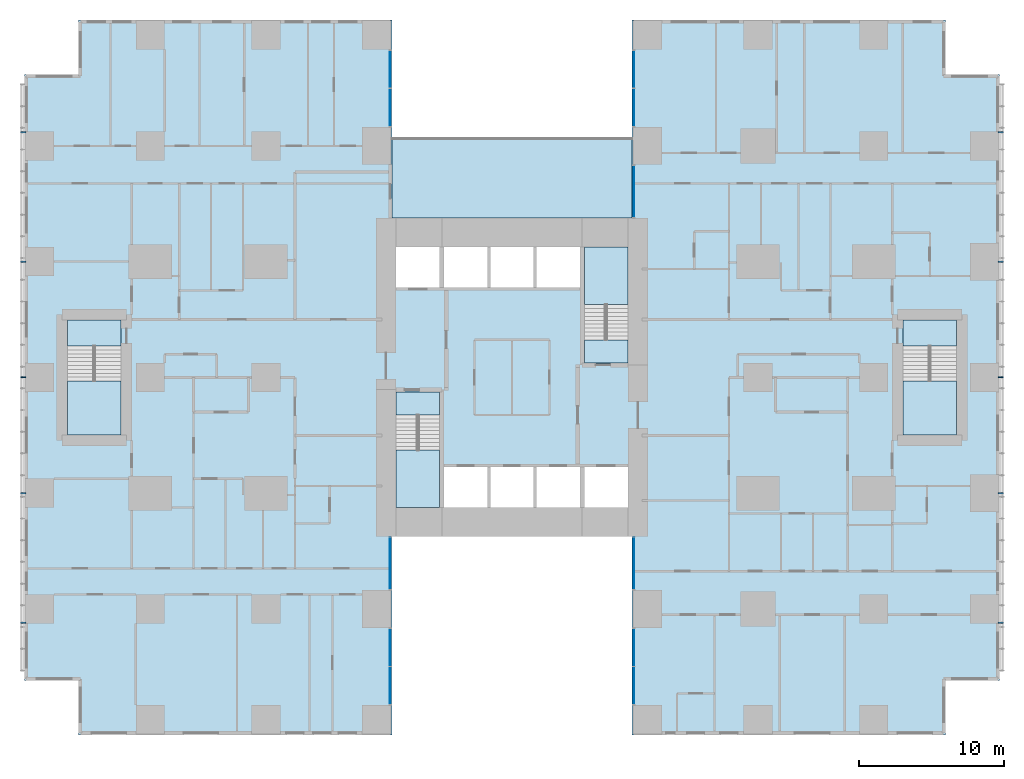
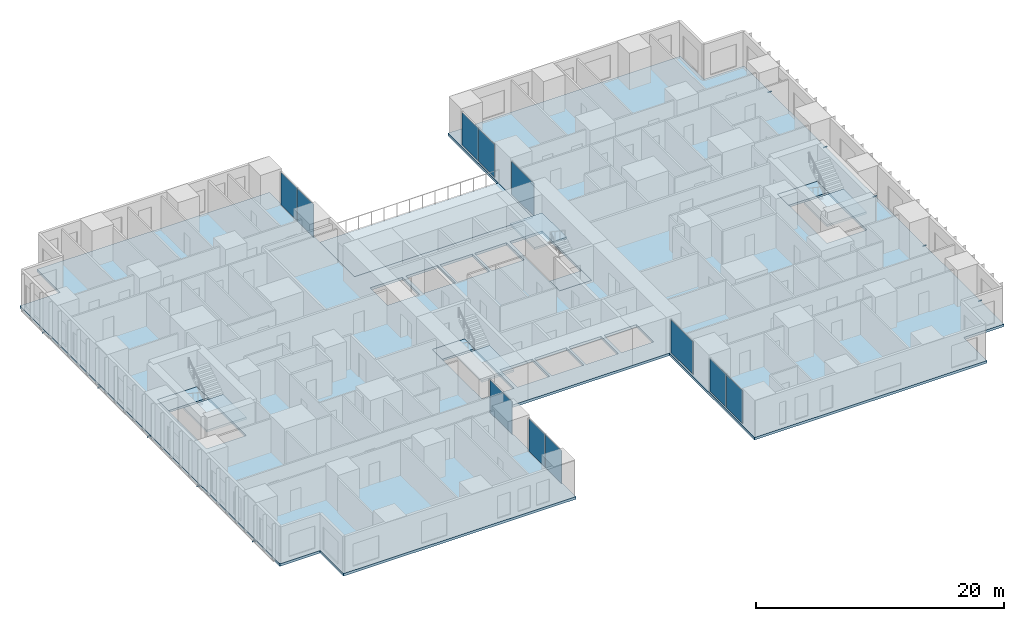
# One storey, part 7 of 20: 11 plates, 10 members, 10 slabs, 11 elements without a shape of their own.
"""IFC4 building model written with IfcOpenShell, lengths in metres."""

from ifc_helpers import new_model, si_unit, direction, frame, origin, origin_2d, place, context, subcontext, project, spatial, polyline, rectangle, hollow_rectangle, outline, extrude, material, layer, layer_set, material_profile, profile_set, type_object, element, aggregate, save


model = new_model("IFC4")

# Units and contexts
model_context = context("Model", 3, precision=1e-05, world=origin(), true_north=direction((0.0, 1.0)))
body_context = subcontext(model_context, "Body", "Model", "MODEL_VIEW")
ifc_project = project(units=[si_unit("LENGTHUNIT", "METRE"), si_unit("AREAUNIT", "SQUARE_METRE"), si_unit("VOLUMEUNIT", "CUBIC_METRE"), si_unit("PLANEANGLEUNIT", "RADIAN"), si_unit("MASSUNIT", "GRAM", prefix="KILO")], contexts=[model_context])

# Site, building, storey
site_placement = place(None, origin())
site = spatial("IfcSite", under=ifc_project, at=site_placement, CompositionType="ELEMENT")
building_placement = place(site_placement, origin())
building = spatial("IfcBuilding", under=site, at=building_placement, Name="Cleftline Residences", CompositionType="ELEMENT")
storey_placement = place(building_placement, frame((0.0, 0.0, 96.199951171875)))
storey = spatial("IfcBuildingStorey", under=building, at=storey_placement, Name="L24", CompositionType="ELEMENT", Elevation=96.199951171875)

# Members
ifc_material_1 = material(Name="Steel S355, hot-dip galvanised", Category="steel")
ifc_material_profile = material_profile(ifc_material_1, hollow_rectangle(XDim=0.10009765625, YDim=0.10009765625, WallThickness=0.008056640625, InnerFilletRadius=0.008056640625, OuterFilletRadius=0.011962890625, at=origin_2d()))
ifc_profile_set = profile_set([ifc_material_profile], Name="Steel S355, hot-dip galvanised")
member_type = type_object("IfcMemberType", Name="BAGUETTE BRACKET SHS 100X100X8", PredefinedType="USERDEFINED", material=ifc_profile_set)
for number, where, z_axis, x_axis, name in (
    (1, (66.60009765625, 7.050048828125, -0.14990234375), (1.0, 0.0, 0.0), (0.0, 1.0, 0.0), "Baguette bracket"),
    (2, (66.60009765625, 16.0, -0.14990234375), (1.0, 0.0, 0.0), (0.0, 1.0, 0.0), "Baguette bracket"),
    (3, (66.60009765625, 24.0, -0.14990234375), (1.0, 0.0, 0.0), (0.0, 1.0, 0.0), "Baguette bracket"),
    (4, (66.60009765625, 32.0, -0.14990234375), (1.0, 0.0, 0.0), (0.0, 1.0, 0.0), "Baguette bracket"),
    (5, (66.60009765625, 40.949951171875, -0.14990234375), (1.0, 0.0, 0.0), (0.0, 1.0, 0.0), "Baguette bracket"),
    (6, (-0.60009765625, 40.949951171875, -0.14990234375), (-1.0, 0.0, 0.0), (0.0, -1.0, 0.0), "Baguette bracket"),
    (7, (-0.60009765625, 32.0, -0.14990234375), (-1.0, 0.0, 0.0), (0.0, -1.0, 0.0), "Baguette bracket"),
    (8, (-0.60009765625, 24.0, -0.14990234375), (-1.0, 0.0, 0.0), (0.0, -1.0, 0.0), "Baguette bracket"),
    (9, (-0.60009765625, 16.0, -0.14990234375), (-1.0, 0.0, 0.0), (0.0, -1.0, 0.0), "Baguette bracket"),
    (10, (-0.60009765625, 7.050048828125, -0.14990234375), (-1.0, 0.0, 0.0), (0.0, -1.0, 0.0), "Baguette bracket"),
):
    element("IfcMember", number, at=place(storey_placement, frame(where, z_axis=z_axis, x_axis=x_axis)), inside=storey, type_object=member_type, Name=name, ObjectType="BAGUETTE BRACKET", PredefinedType="USERDEFINED", context=body_context, shape_type="SweptSolid", body=[
        extrude(hollow_rectangle(XDim=0.10009765625, YDim=0.10009765625, WallThickness=0.008056640625, InnerFilletRadius=0.008056640625, OuterFilletRadius=0.011962890625, at=origin_2d()), origin(), (0.0, 0.0, 1.0), 0.349853515625),
    ])

# Slab
ifc_material_2 = material(Name="Concrete B45", Category="concrete")
ifc_layer_1 = layer(ifc_material_2, 0.199951171875)
ifc_layer_set_1 = layer_set([ifc_layer_1], Name="BRIDGE ROOF SLAB 200")
slab_type_1 = type_object("IfcSlabType", Name="BRIDGE ROOF SLAB 200", PredefinedType="ROOF", material=ifc_layer_set_1)
slab_1_placement = place(storey_placement, frame((0.0, 0.0, -0.199951171875)))
element("IfcSlab", 11, at=slab_1_placement, inside=storey, type_object=slab_type_1, Name="Sky bridge roof L23 N", PredefinedType="ROOF", context=body_context, shape_type="SweptSolid", body=[
    extrude(outline(polyline([(41.300048828125, 35.0), (41.300048828125, 40.60009765625), (24.699951171875, 40.60009765625), (24.699951171875, 35.0), (41.300048828125, 35.0)])), origin(), (0.0, 0.0, 1.0), 0.199951171875),
])

# Curtain wall, plates
ifc_material_3 = material(Name="Aluminium framed curtain wall", Category="aluminium")
ifc_layer_2 = layer(ifc_material_3, 0.199951171875)
ifc_layer_set_2 = layer_set([ifc_layer_2], Name="CW1 CLEFT GLAZING")
curtain_wall_type = type_object("IfcCurtainWallType", Name="CW1 CLEFT GLAZING", PredefinedType="NOTDEFINED", material=ifc_layer_set_2)
curtain_wall_1_placement = place(storey_placement, origin())
curtain_wall_1 = element("IfcCurtainWall", 12, at=curtain_wall_1_placement, inside=storey, type_object=curtain_wall_type, Name="Curtain wall CW1", PredefinedType="NOTDEFINED")
ifc_material_4 = material(Name="Laminated clear glass", Category="glass")
ifc_layer_3 = layer(ifc_material_4, 0.028076171875)
ifc_layer_set_3 = layer_set([ifc_layer_3], Name="CW1 GLASS PANEL")
plate_type = type_object("IfcPlateType", Name="CW1 GLASS PANEL", PredefinedType="CURTAIN_PANEL", material=ifc_layer_set_3)
plate_1_placement = place(storey_placement, frame((24.574951171875, 2.702392578125, 0.06005859375), z_axis=(0.0, 0.0, 1.0), x_axis=(0.0, 1.0, 0.0)))
plate_1 = element("IfcPlate", 13, at=plate_1_placement, type_object=plate_type, Name="CW1 panel 1.1", PredefinedType="CURTAIN_PANEL", context=body_context, shape_type="SweptSolid", body=[
    extrude(rectangle(XDim=2.5849609375, YDim=0.028076171875, at=origin_2d()), origin(), (0.0, 0.0, 1.0), 3.22998046875),
])
plate_2_placement = place(storey_placement, frame((24.574951171875, 5.347412109375, 0.06005859375), z_axis=(0.0, 0.0, 1.0), x_axis=(0.0, 1.0, 0.0)))
plate_2 = element("IfcPlate", 14, at=plate_2_placement, type_object=plate_type, Name="CW1 panel 2.1", PredefinedType="CURTAIN_PANEL", context=body_context, shape_type="SweptSolid", body=[
    extrude(rectangle(XDim=2.5849609375, YDim=0.028076171875, at=origin_2d()), origin(), (0.0, 0.0, 1.0), 3.22998046875),
])
aggregate(curtain_wall_1, [plate_1, plate_2])

# Curtain wall, plate
curtain_wall_2_placement = place(storey_placement, origin())
curtain_wall_2 = element("IfcCurtainWall", 15, at=curtain_wall_2_placement, inside=storey, type_object=curtain_wall_type, Name="Curtain wall CW1", PredefinedType="NOTDEFINED")
plate_3_placement = place(storey_placement, frame((24.574951171875, 11.14990234375, 0.06005859375), z_axis=(0.0, 0.0, 1.0), x_axis=(0.0, 1.0, 0.0)))
plate_3 = element("IfcPlate", 16, at=plate_3_placement, type_object=plate_type, Name="CW1 panel 1.1", PredefinedType="CURTAIN_PANEL", context=body_context, shape_type="SweptSolid", body=[
    extrude(rectangle(XDim=3.580078125, YDim=0.028076171875, at=origin_2d()), origin(), (0.0, 0.0, 1.0), 3.22998046875),
])
aggregate(curtain_wall_2, [plate_3])

curtain_wall_3_placement = place(storey_placement, origin())
curtain_wall_3 = element("IfcCurtainWall", 17, at=curtain_wall_3_placement, inside=storey, type_object=curtain_wall_type, Name="Curtain wall CW1", PredefinedType="NOTDEFINED")
plate_4_placement = place(storey_placement, frame((41.425048828125, 11.14990234375, 0.06005859375), z_axis=(0.0, 0.0, 1.0), x_axis=(0.0, -1.0, 0.0)))
plate_4 = element("IfcPlate", 18, at=plate_4_placement, type_object=plate_type, Name="CW1 panel 1.1", PredefinedType="CURTAIN_PANEL", context=body_context, shape_type="SweptSolid", body=[
    extrude(rectangle(XDim=3.580078125, YDim=0.028076171875, at=origin_2d()), origin(), (0.0, 0.0, 1.0), 3.22998046875),
])
aggregate(curtain_wall_3, [plate_4])

# Curtain wall, plates
curtain_wall_4_placement = place(storey_placement, origin())
curtain_wall_4 = element("IfcCurtainWall", 19, at=curtain_wall_4_placement, inside=storey, type_object=curtain_wall_type, Name="Curtain wall CW1", PredefinedType="NOTDEFINED")
plate_5_placement = place(storey_placement, frame((41.425048828125, 5.347412109375, 0.06005859375), z_axis=(0.0, 0.0, 1.0), x_axis=(0.0, -1.0, 0.0)))
plate_5 = element("IfcPlate", 20, at=plate_5_placement, type_object=plate_type, Name="CW1 panel 1.1", PredefinedType="CURTAIN_PANEL", context=body_context, shape_type="SweptSolid", body=[
    extrude(rectangle(XDim=2.5849609375, YDim=0.028076171875, at=origin_2d()), origin(), (0.0, 0.0, 1.0), 3.22998046875),
])
plate_6_placement = place(storey_placement, frame((41.425048828125, 2.702392578125, 0.06005859375), z_axis=(0.0, 0.0, 1.0), x_axis=(0.0, -1.0, 0.0)))
plate_6 = element("IfcPlate", 21, at=plate_6_placement, type_object=plate_type, Name="CW1 panel 2.1", PredefinedType="CURTAIN_PANEL", context=body_context, shape_type="SweptSolid", body=[
    extrude(rectangle(XDim=2.5849609375, YDim=0.028076171875, at=origin_2d()), origin(), (0.0, 0.0, 1.0), 3.22998046875),
])
aggregate(curtain_wall_4, [plate_5, plate_6])

curtain_wall_5_placement = place(storey_placement, origin())
curtain_wall_5 = element("IfcCurtainWall", 22, at=curtain_wall_5_placement, inside=storey, type_object=curtain_wall_type, Name="Curtain wall CW1", PredefinedType="NOTDEFINED")
plate_7_placement = place(storey_placement, frame((41.425048828125, 45.297607421875, 0.06005859375), z_axis=(0.0, 0.0, 1.0), x_axis=(0.0, -1.0, 0.0)))
plate_7 = element("IfcPlate", 23, at=plate_7_placement, type_object=plate_type, Name="CW1 panel 1.1", PredefinedType="CURTAIN_PANEL", context=body_context, shape_type="SweptSolid", body=[
    extrude(rectangle(XDim=2.5849609375, YDim=0.028076171875, at=origin_2d()), origin(), (0.0, 0.0, 1.0), 3.22998046875),
])
plate_8_placement = place(storey_placement, frame((41.425048828125, 42.652587890625, 0.06005859375), z_axis=(0.0, 0.0, 1.0), x_axis=(0.0, -1.0, 0.0)))
plate_8 = element("IfcPlate", 24, at=plate_8_placement, type_object=plate_type, Name="CW1 panel 2.1", PredefinedType="CURTAIN_PANEL", context=body_context, shape_type="SweptSolid", body=[
    extrude(rectangle(XDim=2.5849609375, YDim=0.028076171875, at=origin_2d()), origin(), (0.0, 0.0, 1.0), 3.22998046875),
])
aggregate(curtain_wall_5, [plate_7, plate_8])

# Curtain wall, plate
curtain_wall_6_placement = place(storey_placement, origin())
curtain_wall_6 = element("IfcCurtainWall", 25, at=curtain_wall_6_placement, inside=storey, type_object=curtain_wall_type, Name="Curtain wall CW1", PredefinedType="NOTDEFINED")
plate_9_placement = place(storey_placement, frame((41.425048828125, 36.85009765625, 0.06005859375), z_axis=(0.0, 0.0, 1.0), x_axis=(0.0, -1.0, 0.0)))
plate_9 = element("IfcPlate", 26, at=plate_9_placement, type_object=plate_type, Name="CW1 panel 1.1", PredefinedType="CURTAIN_PANEL", context=body_context, shape_type="SweptSolid", body=[
    extrude(rectangle(XDim=3.580078125, YDim=0.028076171875, at=origin_2d()), origin(), (0.0, 0.0, 1.0), 3.22998046875),
])
aggregate(curtain_wall_6, [plate_9])

# Curtain wall, plates
curtain_wall_7_placement = place(storey_placement, origin())
curtain_wall_7 = element("IfcCurtainWall", 27, at=curtain_wall_7_placement, inside=storey, type_object=curtain_wall_type, Name="Curtain wall CW1", PredefinedType="NOTDEFINED")
plate_10_placement = place(storey_placement, frame((24.574951171875, 42.652587890625, 0.06005859375), z_axis=(0.0, 0.0, 1.0), x_axis=(0.0, 1.0, 0.0)))
plate_10 = element("IfcPlate", 28, at=plate_10_placement, type_object=plate_type, Name="CW1 panel 1.1", PredefinedType="CURTAIN_PANEL", context=body_context, shape_type="SweptSolid", body=[
    extrude(rectangle(XDim=2.5849609375, YDim=0.028076171875, at=origin_2d()), origin(), (0.0, 0.0, 1.0), 3.22998046875),
])
plate_11_placement = place(storey_placement, frame((24.574951171875, 45.297607421875, 0.06005859375), z_axis=(0.0, 0.0, 1.0), x_axis=(0.0, 1.0, 0.0)))
plate_11 = element("IfcPlate", 29, at=plate_11_placement, type_object=plate_type, Name="CW1 panel 2.1", PredefinedType="CURTAIN_PANEL", context=body_context, shape_type="SweptSolid", body=[
    extrude(rectangle(XDim=2.5849609375, YDim=0.028076171875, at=origin_2d()), origin(), (0.0, 0.0, 1.0), 3.22998046875),
])
aggregate(curtain_wall_7, [plate_10, plate_11])

# Slab
ifc_material_5 = material(Name="Concrete B45", Category="concrete")
ifc_layer_4 = layer(ifc_material_5, 0.25)
ifc_layer_set_4 = layer_set([ifc_layer_4], Name="FLOOR SLAB 250")
slab_type_2 = type_object("IfcSlabType", Name="FLOOR SLAB 250", PredefinedType="FLOOR", material=ifc_layer_set_4)
slab_2_placement = place(storey_placement, frame((0.0, 0.0, -0.25)))
element("IfcSlab", 30, at=slab_2_placement, inside=storey, type_object=slab_type_2, Name="Floor slab L24", PredefinedType="FLOOR", context=body_context, shape_type="SweptSolid", body=[
    extrude(outline(polyline([(24.699951171875, 13.0), (41.300048828125, 13.0), (41.300048828125, -0.699951171875), (62.949951171875, -0.699951171875), (62.949951171875, 3.050048828125), (66.699951171875, 3.050048828125), (66.699951171875, 44.949951171875), (62.949951171875, 44.949951171875), (62.949951171875, 48.699951171875), (41.300048828125, 48.699951171875), (41.300048828125, 35.0), (24.699951171875, 35.0), (24.699951171875, 48.699951171875), (3.050048828125, 48.699951171875), (3.050048828125, 44.949951171875), (-0.699951171875, 44.949951171875), (-0.699951171875, 3.050048828125), (3.050048828125, 3.050048828125), (3.050048828125, -0.699951171875), (24.699951171875, -0.699951171875), (24.699951171875, 13.0)]), holes=[polyline([(28.0, 15.0), (28.0, 23.0), (25.0, 23.0), (25.0, 15.0), (28.0, 15.0)]), polyline([(41.0, 25.0), (41.0, 33.0), (38.0, 33.0), (38.0, 25.0), (41.0, 25.0)]), polyline([(28.0, 30.199951171875), (28.0, 33.0), (25.0, 33.0), (25.0, 30.199951171875), (28.0, 30.199951171875)]), polyline([(41.0, 15.0), (41.0, 17.800048828125), (38.0, 17.800048828125), (38.0, 15.0), (41.0, 15.0)]), polyline([(31.300048828125, 15.0), (31.300048828125, 17.800048828125), (28.300048828125, 17.800048828125), (28.300048828125, 15.0), (31.300048828125, 15.0)]), polyline([(34.5, 15.0), (34.5, 17.800048828125), (31.5, 17.800048828125), (31.5, 15.0), (34.5, 15.0)]), polyline([(37.699951171875, 15.0), (37.699951171875, 17.800048828125), (34.699951171875, 17.800048828125), (34.699951171875, 15.0), (37.699951171875, 15.0)]), polyline([(31.300048828125, 30.199951171875), (31.300048828125, 33.0), (28.300048828125, 33.0), (28.300048828125, 30.199951171875), (31.300048828125, 30.199951171875)]), polyline([(34.5, 30.199951171875), (34.5, 33.0), (31.5, 33.0), (31.5, 30.199951171875), (34.5, 30.199951171875)]), polyline([(37.699951171875, 30.199951171875), (37.699951171875, 33.0), (34.699951171875, 33.0), (34.699951171875, 30.199951171875), (37.699951171875, 30.199951171875)]), polyline([(63.72509765625, 20.02490234375), (63.72509765625, 27.97509765625), (60.02490234375, 27.97509765625), (60.02490234375, 20.02490234375), (63.72509765625, 20.02490234375)]), polyline([(5.97509765625, 20.02490234375), (5.97509765625, 27.97509765625), (2.27490234375, 27.97509765625), (2.27490234375, 20.02490234375), (5.97509765625, 20.02490234375)])]), origin(), (0.0, 0.0, 1.0), 0.25),
])

# Stair, slabs
ifc_material_6 = material(Name="Concrete B45, stone treads", Category="masonry")
stair_type_1 = type_object("IfcStairType", Name="STAIR A 1450 WIDE 180 RISER", PredefinedType="HALF_TURN_STAIR", material=ifc_material_6)
stair_1_placement = place(storey_placement, origin())
stair_1 = element("IfcStair", 31, at=stair_1_placement, inside=storey, type_object=stair_type_1, Name="Stair A L24", PredefinedType="HALF_TURN_STAIR")
ifc_material_7 = material(Name="Concrete B45", Category="concrete")
ifc_layer_5 = layer(ifc_material_7, 0.199951171875)
ifc_layer_set_5 = layer_set([ifc_layer_5], Name="STAIR LANDING 200")
slab_type_3 = type_object("IfcSlabType", Name="STAIR LANDING 200", PredefinedType="LANDING", material=ifc_layer_set_5)
slab_3_placement = place(storey_placement, frame((0.0, 0.0, -0.199951171875)))
slab_3 = element("IfcSlab", 32, at=slab_3_placement, type_object=slab_type_3, Name="ST-A landing 1", PredefinedType="LANDING", context=body_context, shape_type="SweptSolid", body=[
    extrude(outline(polyline([(25.0, 21.39990234375), (28.0, 21.39990234375), (28.0, 23.0), (25.0, 23.0), (25.0, 21.39990234375)])), origin(), (0.0, 0.0, 1.0), 0.199951171875),
])
slab_4_placement = place(storey_placement, frame((0.0, 0.0, 1.60009765625)))
slab_4 = element("IfcSlab", 33, at=slab_4_placement, type_object=slab_type_3, Name="ST-A landing 2", PredefinedType="LANDING", context=body_context, shape_type="SweptSolid", body=[
    extrude(outline(polyline([(25.0, 15.0), (28.0, 15.0), (28.0, 18.969970703125), (25.0, 18.969970703125), (25.0, 15.0)])), origin(), (0.0, 0.0, 1.0), 0.199951171875),
])
aggregate(stair_1, [slab_3, slab_4])

ifc_material_8 = material(Name="Concrete B45, stone treads", Category="masonry")
stair_type_2 = type_object("IfcStairType", Name="STAIR B 1450 WIDE 180 RISER", PredefinedType="HALF_TURN_STAIR", material=ifc_material_8)
stair_2_placement = place(storey_placement, origin())
stair_2 = element("IfcStair", 34, at=stair_2_placement, inside=storey, type_object=stair_type_2, Name="Stair B L24", PredefinedType="HALF_TURN_STAIR")
slab_5_placement = place(storey_placement, frame((0.0, 0.0, -0.199951171875)))
slab_5 = element("IfcSlab", 35, at=slab_5_placement, type_object=slab_type_3, Name="ST-B landing 1", PredefinedType="LANDING", context=body_context, shape_type="SweptSolid", body=[
    extrude(outline(polyline([(38.0, 25.0), (41.0, 25.0), (41.0, 26.60009765625), (38.0, 26.60009765625), (38.0, 25.0)])), origin(), (0.0, 0.0, 1.0), 0.199951171875),
])
slab_6_placement = place(storey_placement, frame((0.0, 0.0, 1.60009765625)))
slab_6 = element("IfcSlab", 36, at=slab_6_placement, type_object=slab_type_3, Name="ST-B landing 2", PredefinedType="LANDING", context=body_context, shape_type="SweptSolid", body=[
    extrude(outline(polyline([(38.0, 29.030029296875), (41.0, 29.030029296875), (41.0, 33.0), (38.0, 33.0), (38.0, 29.030029296875)])), origin(), (0.0, 0.0, 1.0), 0.199951171875),
])
aggregate(stair_2, [slab_5, slab_6])

ifc_material_9 = material(Name="Concrete B45, stone treads", Category="masonry")
stair_type_3 = type_object("IfcStairType", Name="STAIR E 1800 WIDE 180 RISER", PredefinedType="HALF_TURN_STAIR", material=ifc_material_9)
stair_3_placement = place(storey_placement, origin())
stair_3 = element("IfcStair", 37, at=stair_3_placement, inside=storey, type_object=stair_type_3, Name="Stair E L24", PredefinedType="HALF_TURN_STAIR")
slab_7_placement = place(storey_placement, frame((0.0, 0.0, -0.199951171875)))
slab_7 = element("IfcSlab", 38, at=slab_7_placement, type_object=slab_type_3, Name="ST-E landing 1", PredefinedType="LANDING", context=body_context, shape_type="SweptSolid", body=[
    extrude(outline(polyline([(60.02490234375, 26.175048828125), (63.72509765625, 26.175048828125), (63.72509765625, 27.97509765625), (60.02490234375, 27.97509765625), (60.02490234375, 26.175048828125)])), origin(), (0.0, 0.0, 1.0), 0.199951171875),
])
slab_8_placement = place(storey_placement, frame((0.0, 0.0, 1.60009765625)))
slab_8 = element("IfcSlab", 39, at=slab_8_placement, type_object=slab_type_3, Name="ST-E landing 2", PredefinedType="LANDING", context=body_context, shape_type="SweptSolid", body=[
    extrude(outline(polyline([(60.02490234375, 20.02490234375), (63.72509765625, 20.02490234375), (63.72509765625, 23.7451171875), (60.02490234375, 23.7451171875), (60.02490234375, 20.02490234375)])), origin(), (0.0, 0.0, 1.0), 0.199951171875),
])
aggregate(stair_3, [slab_7, slab_8])

ifc_material_10 = material(Name="Concrete B45, stone treads", Category="masonry")
stair_type_4 = type_object("IfcStairType", Name="STAIR W 1800 WIDE 180 RISER", PredefinedType="HALF_TURN_STAIR", material=ifc_material_10)
stair_4_placement = place(storey_placement, origin())
stair_4 = element("IfcStair", 40, at=stair_4_placement, inside=storey, type_object=stair_type_4, Name="Stair W L24", PredefinedType="HALF_TURN_STAIR")
slab_9_placement = place(storey_placement, frame((0.0, 0.0, -0.199951171875)))
slab_9 = element("IfcSlab", 41, at=slab_9_placement, type_object=slab_type_3, Name="ST-W landing 1", PredefinedType="LANDING", context=body_context, shape_type="SweptSolid", body=[
    extrude(outline(polyline([(2.27490234375, 26.175048828125), (5.97509765625, 26.175048828125), (5.97509765625, 27.97509765625), (2.27490234375, 27.97509765625), (2.27490234375, 26.175048828125)])), origin(), (0.0, 0.0, 1.0), 0.199951171875),
])
slab_10_placement = place(storey_placement, frame((0.0, 0.0, 1.60009765625)))
slab_10 = element("IfcSlab", 42, at=slab_10_placement, type_object=slab_type_3, Name="ST-W landing 2", PredefinedType="LANDING", context=body_context, shape_type="SweptSolid", body=[
    extrude(outline(polyline([(2.27490234375, 20.02490234375), (5.97509765625, 20.02490234375), (5.97509765625, 23.7451171875), (2.27490234375, 23.7451171875), (2.27490234375, 20.02490234375)])), origin(), (0.0, 0.0, 1.0), 0.199951171875),
])
aggregate(stair_4, [slab_9, slab_10])

save(model, "model.ifc")
